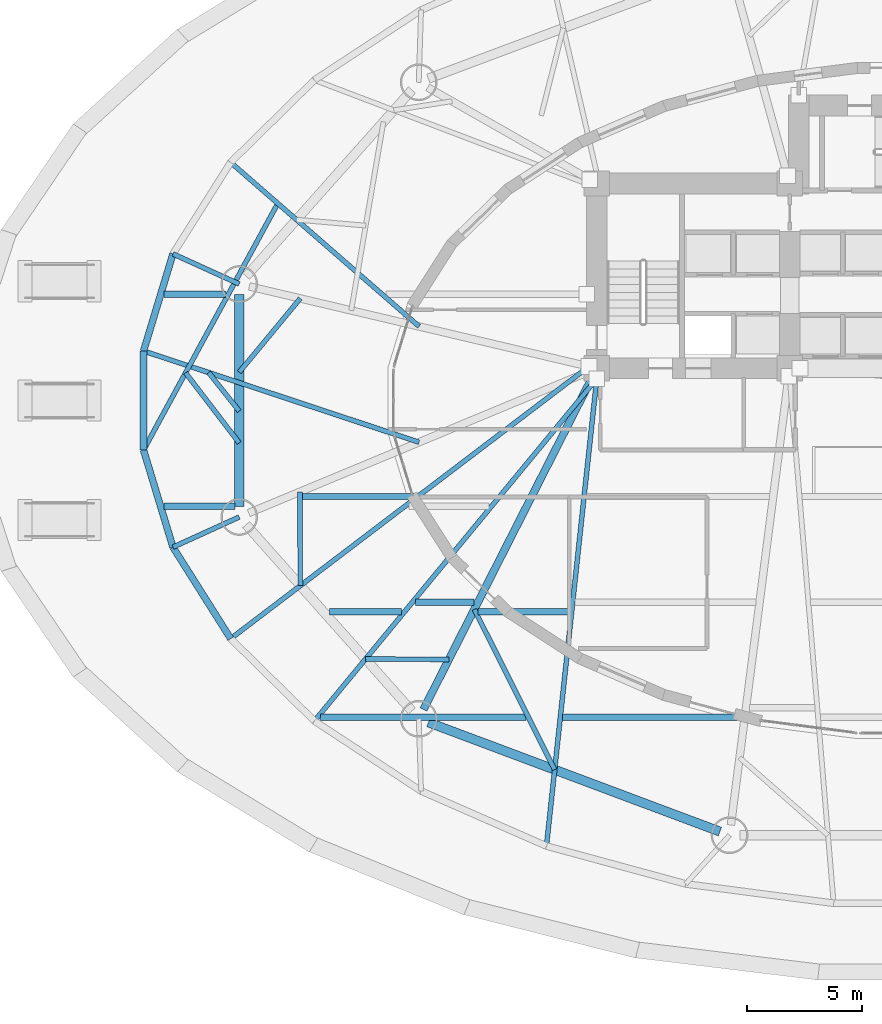
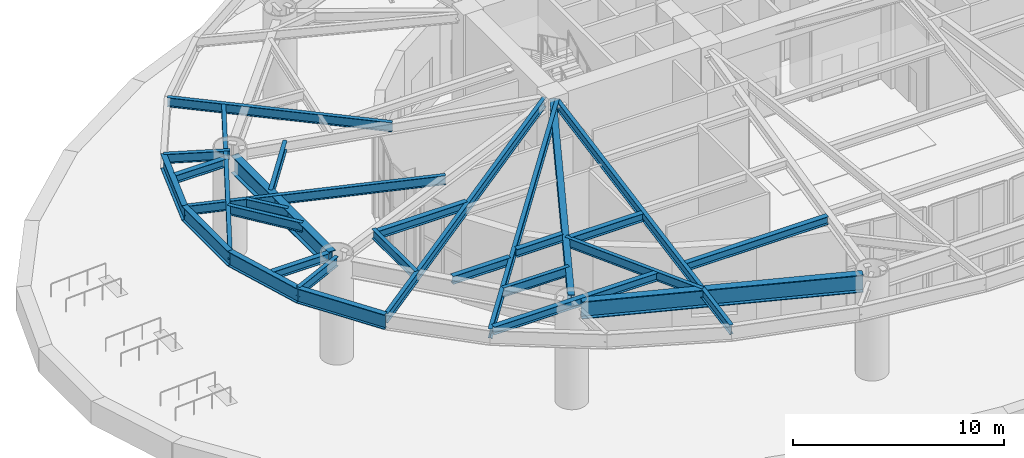
# One storey, part 2 of 21: 29 beams.
"""IFC4 building model written with IfcOpenShell, lengths in metres."""

from ifc_helpers import new_model, si_unit, direction, frame, origin, origin_2d, place, context, subcontext, project, spatial, i_section, extrude, material, material_profile, profile_set, type_object, element, save


model = new_model("IFC4")

# Units and contexts
model_context = context("Model", 3, precision=1e-05, world=origin(), true_north=direction((0.0, 1.0)))
body_context = subcontext(model_context, "Body", "Model", "MODEL_VIEW")
ifc_project = project(units=[si_unit("LENGTHUNIT", "METRE"), si_unit("AREAUNIT", "SQUARE_METRE"), si_unit("VOLUMEUNIT", "CUBIC_METRE"), si_unit("PLANEANGLEUNIT", "RADIAN"), si_unit("MASSUNIT", "GRAM", prefix="KILO")], contexts=[model_context])

# Site, building, storey
site_placement = place(None, origin())
site = spatial("IfcSite", under=ifc_project, at=site_placement, CompositionType="ELEMENT")
building_placement = place(site_placement, origin())
building = spatial("IfcBuilding", under=site, at=building_placement, Name="Keldmark Tower", CompositionType="ELEMENT")
storey_placement = place(building_placement, origin())
storey = spatial("IfcBuildingStorey", under=building, at=storey_placement, Name="L00", CompositionType="ELEMENT", Elevation=0.0)

# Beams
ifc_material_1 = material(Name="Steel ASTM A992 Grade 50", Category="steel")
ifc_material_profile_1 = material_profile(ifc_material_1, i_section(OverallWidth=0.280029296875, OverallDepth=0.462890625, WebThickness=0.0107421875, FlangeThickness=0.017333984375, at=origin_2d()), Name="W18X76")
ifc_profile_set_1 = profile_set([ifc_material_profile_1], Name="Steel ASTM A992 Grade 50")
beam_type_1 = type_object("IfcBeamType", Name="Composite Floor Joist W18X76", PredefinedType="JOIST", material=ifc_profile_set_1)
beam_1_placement = place(storey_placement, frame((-25.640625, -13.800048828125, 5.548583984375), z_axis=(1.0, 0.0, 0.0), x_axis=(0.0, 1.0, 0.0)))
element("IfcBeam", 1, at=beam_1_placement, inside=storey, type_object=beam_type_1, Name="L00 Composite Floor Joist J01", PredefinedType="JOIST", context=body_context, shape_type="SweptSolid", body=[
    extrude(i_section(OverallWidth=0.280029296875, OverallDepth=0.462890625, WebThickness=0.0107421875, FlangeThickness=0.017333984375, at=origin_2d()), origin(), (0.0, 0.0, 1.0), 8.95751953125),
])
beam_2_placement = place(storey_placement, frame((-15.091796875, -13.800048828125, 5.548583984375), z_axis=(1.0, 0.0, 0.0), x_axis=(0.0, 1.0, 0.0)))
element("IfcBeam", 2, at=beam_2_placement, inside=storey, type_object=beam_type_1, Name="L00 Composite Floor Joist J02", PredefinedType="JOIST", context=body_context, shape_type="SweptSolid", body=[
    extrude(i_section(OverallWidth=0.280029296875, OverallDepth=0.462890625, WebThickness=0.0107421875, FlangeThickness=0.017333984375, at=origin_2d()), origin(), (0.0, 0.0, 1.0), 7.780029296875),
])
beam_3_placement = place(storey_placement, frame((-25.240966796875, -9.199951171875, 5.548583984375), z_axis=(1.0, 0.0, 0.0), x_axis=(0.0, 1.0, 0.0)))
element("IfcBeam", 3, at=beam_3_placement, inside=storey, type_object=beam_type_1, Name="L00 Composite Floor Joist J08", PredefinedType="JOIST", context=body_context, shape_type="SweptSolid", body=[
    extrude(i_section(OverallWidth=0.280029296875, OverallDepth=0.462890625, WebThickness=0.0107421875, FlangeThickness=0.017333984375, at=origin_2d()), origin(), (0.0, 0.0, 1.0), 3.142822265625),
])
beam_4_placement = place(storey_placement, frame((-21.5, -8.780029296875, 5.548583984375), z_axis=(1.0, 0.0, 0.0), x_axis=(0.0, 1.0, 0.0)))
element("IfcBeam", 4, at=beam_4_placement, inside=storey, type_object=beam_type_1, Name="L00 Composite Floor Joist J09", PredefinedType="JOIST", context=body_context, shape_type="SweptSolid", body=[
    extrude(i_section(OverallWidth=0.280029296875, OverallDepth=0.462890625, WebThickness=0.0107421875, FlangeThickness=0.017333984375, at=origin_2d()), origin(), (0.0, 0.0, 1.0), 2.552734375),
])
beam_5_placement = place(storey_placement, frame((-18.772216796875, -9.199951171875, 5.548583984375), z_axis=(1.0, 0.0, 0.0), x_axis=(0.0, 1.0, 0.0)))
element("IfcBeam", 5, at=beam_5_placement, inside=storey, type_object=beam_type_1, Name="L00 Composite Floor Joist J10", PredefinedType="JOIST", context=body_context, shape_type="SweptSolid", body=[
    extrude(i_section(OverallWidth=0.280029296875, OverallDepth=0.462890625, WebThickness=0.0107421875, FlangeThickness=0.017333984375, at=origin_2d()), origin(), (0.0, 0.0, 1.0), 3.982421875),
])
beam_6_placement = place(storey_placement, frame((-32.455078125, -4.60009765625, 5.548583984375), z_axis=(1.0, 0.0, 0.0), x_axis=(0.0, 1.0, 0.0)))
element("IfcBeam", 6, at=beam_6_placement, inside=storey, type_object=beam_type_1, Name="L00 Composite Floor Joist J17", PredefinedType="JOIST", context=body_context, shape_type="SweptSolid", body=[
    extrude(i_section(OverallWidth=0.280029296875, OverallDepth=0.462890625, WebThickness=0.0107421875, FlangeThickness=0.017333984375, at=origin_2d()), origin(), (0.0, 0.0, 1.0), 3.092041015625),
])
beam_7_placement = place(storey_placement, frame((-26.43359375, -4.179931640625, 5.548583984375), z_axis=(1.0, 0.0, 0.0), x_axis=(0.0, 1.0, 0.0)))
element("IfcBeam", 7, at=beam_7_placement, inside=storey, type_object=beam_type_1, Name="L00 Composite Floor Joist J18", PredefinedType="JOIST", context=body_context, shape_type="SweptSolid", body=[
    extrude(i_section(OverallWidth=0.280029296875, OverallDepth=0.462890625, WebThickness=0.0107421875, FlangeThickness=0.017333984375, at=origin_2d()), origin(), (0.0, 0.0, 1.0), 4.87646484375),
])
beam_8_placement = place(storey_placement, frame((-32.44921875, 4.6201171875, 5.548583984375), z_axis=(1.0, 0.0, 0.0), x_axis=(0.0, 1.0, 0.0)))
element("IfcBeam", 8, at=beam_8_placement, inside=storey, type_object=beam_type_1, Name="L00 Composite Floor Joist J27", PredefinedType="JOIST", context=body_context, shape_type="SweptSolid", body=[
    extrude(i_section(OverallWidth=0.280029296875, OverallDepth=0.462890625, WebThickness=0.0107421875, FlangeThickness=0.017333984375, at=origin_2d()), origin(), (0.0, 0.0, 1.0), 2.68896484375),
])
ifc_material_2 = material(Name="Steel ASTM A992 Grade 50", Category="steel")
ifc_material_profile_2 = material_profile(ifc_material_2, i_section(OverallWidth=0.402099609375, OverallDepth=1.011962890625, WebThickness=0.023681640625, FlangeThickness=0.0419921875, at=origin_2d()), Name="W40X297")
ifc_profile_set_2 = profile_set([ifc_material_profile_2], Name="Steel ASTM A992 Grade 50")
beam_type_2 = type_object("IfcBeamType", Name="Podium Primary Girder W40X297", PredefinedType="BEAM", material=ifc_profile_set_2)
beam_9_placement = place(storey_placement, frame((-29.1708984375, 4.622802734375, 5.27392578125), z_axis=(0.0, -1.0, 0.0), x_axis=(1.0, 0.0, 0.0)))
element("IfcBeam", 9, at=beam_9_placement, inside=storey, type_object=beam_type_2, Name="L00 Podium Ring Girder PG-R06", PredefinedType="BEAM", context=body_context, shape_type="SweptSolid", body=[
    extrude(i_section(OverallWidth=0.402099609375, OverallDepth=1.011962890625, WebThickness=0.023681640625, FlangeThickness=0.0419921875, at=origin_2d()), origin(), (0.0, 0.0, 1.0), 9.24560546875),
])
beam_10_placement = place(storey_placement, frame((-20.93310546875, -14.01708984375, 5.27392578125), z_axis=(0.936417954382, -0.350886612329, 0.0), x_axis=(0.350886612329, 0.936417954382, 0.0)))
element("IfcBeam", 10, at=beam_10_placement, inside=storey, type_object=beam_type_2, Name="L00 Podium Ring Girder PG-R08", PredefinedType="BEAM", context=body_context, shape_type="SweptSolid", body=[
    extrude(i_section(OverallWidth=0.402099609375, OverallDepth=1.011962890625, WebThickness=0.023681640625, FlangeThickness=0.0419921875, at=origin_2d()), origin(), (0.0, 0.0, 1.0), 13.557373046875),
])
ifc_material_3 = material(Name="Steel ASTM A992 Grade 50", Category="steel")
ifc_material_profile_3 = material_profile(ifc_material_3, i_section(OverallWidth=0.2099609375, OverallDepth=0.537109375, WebThickness=0.010986328125, FlangeThickness=0.017333984375, at=origin_2d()), Name="W21X68")
ifc_profile_set_3 = profile_set([ifc_material_profile_3], Name="Steel ASTM A992 Grade 50")
beam_type_3 = type_object("IfcBeamType", Name="Radial Tie Girder W21X68", PredefinedType="BEAM", material=ifc_profile_set_3)
beam_11_placement = place(storey_placement, frame((-26.51416015625, 4.4462890625, 5.511474609375), z_axis=(-0.637081134696, -0.770796748705, 0.0), x_axis=(0.770796748705, -0.637081134696, 0.0)))
element("IfcBeam", 11, at=beam_11_placement, inside=storey, type_object=beam_type_3, Name="L00 Framing Pin Header PH-004", PredefinedType="BEAM", context=body_context, shape_type="SweptSolid", body=[
    extrude(i_section(OverallWidth=0.2099609375, OverallDepth=0.537109375, WebThickness=0.010986328125, FlangeThickness=0.017333984375, at=origin_2d()), origin(), (0.0, 0.0, 1.0), 4.170166015625),
])
beam_12_placement = place(storey_placement, frame((-21.3369140625, 3.22509765625, 5.511474609375), z_axis=(-0.754217065505, 0.656625173216, 0.0), x_axis=(-0.656625173216, -0.754217065505, 0.0)))
element("IfcBeam", 12, at=beam_12_placement, inside=storey, type_object=beam_type_3, Name="L00 Perimeter Radial Tie Girder RT-14", PredefinedType="BEAM", context=body_context, shape_type="SweptSolid", body=[
    extrude(i_section(OverallWidth=0.2099609375, OverallDepth=0.537109375, WebThickness=0.010986328125, FlangeThickness=0.017333984375, at=origin_2d()), origin(), (0.0, 0.0, 1.0), 10.882080078125),
])
beam_13_placement = place(storey_placement, frame((-29.1708984375, 5.072998046875, 5.511474609375), z_axis=(-0.910237250682, 0.414087125458, 0.0), x_axis=(-0.414087125458, -0.910237250682, 0.0)))
element("IfcBeam", 13, at=beam_13_placement, inside=storey, type_object=beam_type_3, Name="L00 Perimeter Column Bracket RT-15", PredefinedType="BEAM", context=body_context, shape_type="SweptSolid", body=[
    extrude(i_section(OverallWidth=0.2099609375, OverallDepth=0.537109375, WebThickness=0.010986328125, FlangeThickness=0.017333984375, at=origin_2d()), origin(), (0.0, 0.0, 1.0), 3.17138671875),
])
beam_14_placement = place(storey_placement, frame((-29.1708984375, -0.46240234375, 5.511474609375), z_axis=(-0.621286215745, 0.783583714816, 0.0), x_axis=(-0.783583714816, -0.621286215745, 0.0)))
element("IfcBeam", 14, at=beam_14_placement, inside=storey, type_object=beam_type_3, Name="L00 Framing Pin Header PH-014", PredefinedType="BEAM", context=body_context, shape_type="SweptSolid", body=[
    extrude(i_section(OverallWidth=0.2099609375, OverallDepth=0.537109375, WebThickness=0.010986328125, FlangeThickness=0.017333984375, at=origin_2d()), origin(), (0.0, 0.0, 1.0), 2.1435546875),
])
beam_15_placement = place(storey_placement, frame((-21.33935546875, -1.8173828125, 5.511474609375), z_axis=(-0.949295714459, 0.314384551959, 0.0), x_axis=(-0.314384551959, -0.949295714459, 0.0)))
element("IfcBeam", 15, at=beam_15_placement, inside=storey, type_object=beam_type_3, Name="L00 Perimeter Radial Tie Girder RT-16", PredefinedType="BEAM", context=body_context, shape_type="SweptSolid", body=[
    extrude(i_section(OverallWidth=0.2099609375, OverallDepth=0.537109375, WebThickness=0.010986328125, FlangeThickness=0.017333984375, at=origin_2d()), origin(), (0.0, 0.0, 1.0), 12.64013671875),
])
beam_16_placement = place(storey_placement, frame((-29.1708984375, -1.84912109375, 5.511474609375), z_axis=(-0.607669160471, 0.794190274061, 0.0), x_axis=(-0.794190274061, -0.607669160471, 0.0)))
element("IfcBeam", 16, at=beam_16_placement, inside=storey, type_object=beam_type_3, Name="L00 Framing Pin Header PH-015", PredefinedType="BEAM", context=body_context, shape_type="SweptSolid", body=[
    extrude(i_section(OverallWidth=0.2099609375, OverallDepth=0.537109375, WebThickness=0.010986328125, FlangeThickness=0.017333984375, at=origin_2d()), origin(), (0.0, 0.0, 1.0), 3.846923828125),
])
beam_17_placement = place(storey_placement, frame((-27.492431640625, 8.584228515625, 5.511474609375), z_axis=(-0.478071416036, -0.878320967055, 0.0), x_axis=(0.878320967055, -0.478071416036, 0.0)))
element("IfcBeam", 17, at=beam_17_placement, inside=storey, type_object=beam_type_3, Name="L00 Perimeter Radial Tie Girder RT-17", PredefinedType="BEAM", context=body_context, shape_type="SweptSolid", body=[
    extrude(i_section(OverallWidth=0.2099609375, OverallDepth=0.537109375, WebThickness=0.010986328125, FlangeThickness=0.017333984375, at=origin_2d()), origin(), (0.0, 0.0, 1.0), 12.228759765625),
])
beam_18_placement = place(storey_placement, frame((-29.1708984375, -5.072998046875, 5.511474609375), z_axis=(-0.910237250682, -0.414087125458, 0.0), x_axis=(0.414087125458, -0.910237250682, 0.0)))
element("IfcBeam", 18, at=beam_18_placement, inside=storey, type_object=beam_type_3, Name="L00 Perimeter Column Bracket RT-18", PredefinedType="BEAM", context=body_context, shape_type="SweptSolid", body=[
    extrude(i_section(OverallWidth=0.2099609375, OverallDepth=0.537109375, WebThickness=0.010986328125, FlangeThickness=0.017333984375, at=origin_2d()), origin(), (0.0, 0.0, 1.0), 3.17138671875),
])
beam_19_placement = place(storey_placement, frame((-26.53076171875, -3.975341796875, 5.511474609375), z_axis=(0.005253345215, -0.999986201087, 0.0), x_axis=(0.999986201087, 0.005253345215, 0.0)))
element("IfcBeam", 19, at=beam_19_placement, inside=storey, type_object=beam_type_3, Name="L00 Framing Pin Header PH-016", PredefinedType="BEAM", context=body_context, shape_type="SweptSolid", body=[
    extrude(i_section(OverallWidth=0.2099609375, OverallDepth=0.537109375, WebThickness=0.010986328125, FlangeThickness=0.017333984375, at=origin_2d()), origin(), (0.0, 0.0, 1.0), 4.089599609375),
])
beam_20_placement = place(storey_placement, frame((-14.050048828125, 1.39990234375, 5.511474609375), z_axis=(-0.796291526481, -0.604913055616, 0.0), x_axis=(0.604913055616, -0.796291526481, 0.0)))
element("IfcBeam", 20, at=beam_20_placement, inside=storey, type_object=beam_type_3, Name="L00 Perimeter Radial Tie Girder RT-19", PredefinedType="BEAM", context=body_context, shape_type="SweptSolid", body=[
    extrude(i_section(OverallWidth=0.2099609375, OverallDepth=0.537109375, WebThickness=0.010986328125, FlangeThickness=0.017333984375, at=origin_2d()), origin(), (0.0, 0.0, 1.0), 19.458251953125),
])
beam_21_placement = place(storey_placement, frame((-20.0419921875, -11.276123046875, 5.511474609375), z_axis=(-0.999986569863, 0.005182672537, 0.0), x_axis=(-0.005182672537, -0.999986569863, 0.0)))
element("IfcBeam", 21, at=beam_21_placement, inside=storey, type_object=beam_type_3, Name="L00 Framing Pin Header PH-017", PredefinedType="BEAM", context=body_context, shape_type="SweptSolid", body=[
    extrude(i_section(OverallWidth=0.2099609375, OverallDepth=0.537109375, WebThickness=0.010986328125, FlangeThickness=0.017333984375, at=origin_2d()), origin(), (0.0, 0.0, 1.0), 3.627197265625),
])
beam_22_placement = place(storey_placement, frame((-13.60009765625, 0.949951171875, 5.511474609375), z_axis=(-0.636316421227, -0.771428163912, 0.0), x_axis=(0.771428163912, -0.636316421227, 0.0)))
element("IfcBeam", 22, at=beam_22_placement, inside=storey, type_object=beam_type_3, Name="L00 Perimeter Radial Tie Girder RT-20", PredefinedType="BEAM", context=body_context, shape_type="SweptSolid", body=[
    extrude(i_section(OverallWidth=0.2099609375, OverallDepth=0.537109375, WebThickness=0.010986328125, FlangeThickness=0.017333984375, at=origin_2d()), origin(), (0.0, 0.0, 1.0), 19.323486328125),
])
beam_23_placement = place(storey_placement, frame((-18.93310546875, -9.09423828125, 5.511474609375), z_axis=(0.447976051769, -0.894045556469, 0.0), x_axis=(0.894045556469, 0.447976051769, 0.0)))
element("IfcBeam", 23, at=beam_23_placement, inside=storey, type_object=beam_type_3, Name="L00 Framing Pin Header PH-018", PredefinedType="BEAM", context=body_context, shape_type="SweptSolid", body=[
    extrude(i_section(OverallWidth=0.2099609375, OverallDepth=0.537109375, WebThickness=0.010986328125, FlangeThickness=0.017333984375, at=origin_2d()), origin(), (0.0, 0.0, 1.0), 7.811279296875),
])
beam_24_placement = place(storey_placement, frame((-13.60009765625, 0.949951171875, 5.511474609375), z_axis=(-0.10706666985, -0.994251843452, 0.0), x_axis=(0.994251843452, -0.10706666985, 0.0)))
element("IfcBeam", 24, at=beam_24_placement, inside=storey, type_object=beam_type_3, Name="L00 Perimeter Radial Tie Girder RT-22", PredefinedType="BEAM", context=body_context, shape_type="SweptSolid", body=[
    extrude(i_section(OverallWidth=0.2099609375, OverallDepth=0.537109375, WebThickness=0.010986328125, FlangeThickness=0.017333984375, at=origin_2d()), origin(), (0.0, 0.0, 1.0), 20.469970703125),
])
ifc_material_4 = material(Name="Steel ASTM A992 Grade 50", Category="steel")
ifc_material_profile_4 = material_profile(ifc_material_4, i_section(OverallWidth=0.326904296875, OverallDepth=0.6220703125, WebThickness=0.015380859375, FlangeThickness=0.0244140625, at=origin_2d()), Name="W24X131")
ifc_profile_set_4 = profile_set([ifc_material_profile_4], Name="Steel ASTM A992 Grade 50")
beam_type_4 = type_object("IfcBeamType", Name="Spandrel Ring Beam W24X131", PredefinedType="SPANDREL", material=ifc_profile_set_4)
beam_25_placement = place(storey_placement, frame((-21.150634765625, -13.4580078125, 5.468994140625), z_axis=(0.45304555932, 0.891487364566, 0.0), x_axis=(-0.891487364566, 0.45304555932, 0.0)))
element("IfcBeam", 25, at=beam_25_placement, inside=storey, type_object=beam_type_4, Name="L00 Podium Radial Girder PG-C08", PredefinedType="SPANDREL", context=body_context, shape_type="SweptSolid", body=[
    extrude(i_section(OverallWidth=0.326904296875, OverallDepth=0.6220703125, WebThickness=0.015380859375, FlangeThickness=0.0244140625, at=origin_2d()), origin(), (0.0, 0.0, 1.0), 16.31640625),
])
ifc_material_5 = material(Name="Steel ASTM A992 Grade 50", Category="steel")
ifc_material_profile_5 = material_profile(ifc_material_5, i_section(OverallWidth=0.2919921875, OverallDepth=0.85888671875, WebThickness=0.01708984375, FlangeThickness=0.031005859375, at=origin_2d()), Name="W33X169")
ifc_profile_set_5 = profile_set([ifc_material_profile_5], Name="Steel ASTM A992 Grade 50")
beam_type_5 = type_object("IfcBeamType", Name="Spandrel Ring Beam W33X169", PredefinedType="SPANDREL", material=ifc_profile_set_5)
beam_26_placement = place(storey_placement, frame((-32.0576171875, 6.38623046875, 5.3505859375), z_axis=(-0.289855603468, -0.957070388811, 0.0), x_axis=(0.957070388811, -0.289855603468, 0.0)))
element("IfcBeam", 26, at=beam_26_placement, inside=storey, type_object=beam_type_5, Name="L00 Perimeter Spandrel Ring Beam SRB-15", PredefinedType="SPANDREL", context=body_context, shape_type="SweptSolid", body=[
    extrude(i_section(OverallWidth=0.2919921875, OverallDepth=0.85888671875, WebThickness=0.01708984375, FlangeThickness=0.031005859375, at=origin_2d()), origin(), (0.0, 0.0, 1.0), 4.41943359375),
])
beam_27_placement = place(storey_placement, frame((-33.338623046875, 2.156494140625, 5.3505859375), z_axis=(0.0, -1.0, 0.0), x_axis=(1.0, 0.0, 0.0)))
element("IfcBeam", 27, at=beam_27_placement, inside=storey, type_object=beam_type_5, Name="L00 Perimeter Spandrel Ring Beam SRB-16", PredefinedType="SPANDREL", context=body_context, shape_type="SweptSolid", body=[
    extrude(i_section(OverallWidth=0.2919921875, OverallDepth=0.85888671875, WebThickness=0.01708984375, FlangeThickness=0.031005859375, at=origin_2d()), origin(), (0.0, 0.0, 1.0), 4.31298828125),
])
beam_28_placement = place(storey_placement, frame((-33.338623046875, -2.156494140625, 5.3505859375), z_axis=(0.289855603468, -0.957070388811, 0.0), x_axis=(0.957070388811, 0.289855603468, 0.0)))
element("IfcBeam", 28, at=beam_28_placement, inside=storey, type_object=beam_type_5, Name="L00 Perimeter Spandrel Ring Beam SRB-17", PredefinedType="SPANDREL", context=body_context, shape_type="SweptSolid", body=[
    extrude(i_section(OverallWidth=0.2919921875, OverallDepth=0.85888671875, WebThickness=0.01708984375, FlangeThickness=0.031005859375, at=origin_2d()), origin(), (0.0, 0.0, 1.0), 4.41943359375),
])
beam_29_placement = place(storey_placement, frame((-32.0576171875, -6.38623046875, 5.3505859375), z_axis=(0.53349762721, -0.845801561693, 0.0), x_axis=(0.845801561693, 0.53349762721, 0.0)))
element("IfcBeam", 29, at=beam_29_placement, inside=storey, type_object=beam_type_5, Name="L00 Perimeter Spandrel Ring Beam SRB-18", PredefinedType="SPANDREL", context=body_context, shape_type="SweptSolid", body=[
    extrude(i_section(OverallWidth=0.2919921875, OverallDepth=0.85888671875, WebThickness=0.01708984375, FlangeThickness=0.031005859375, at=origin_2d()), origin(), (0.0, 0.0, 1.0), 4.710693359375),
])

save(model, "model.ifc")
